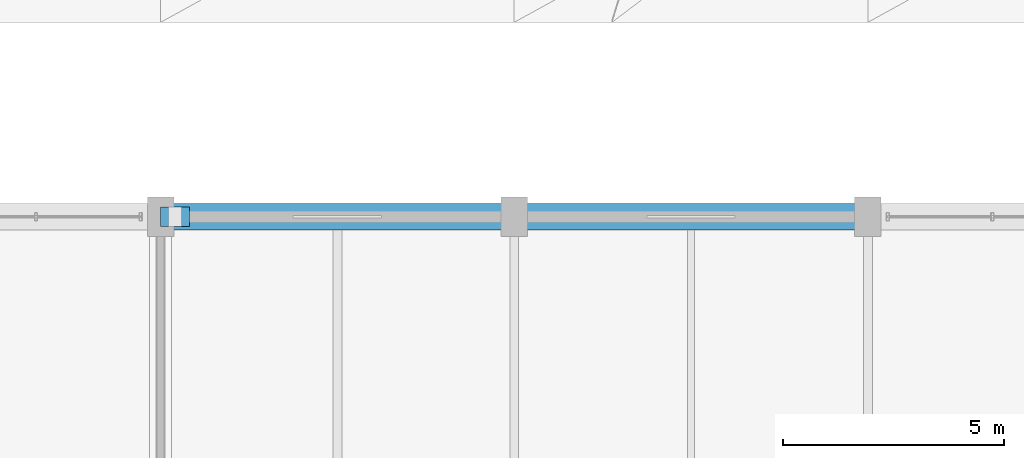
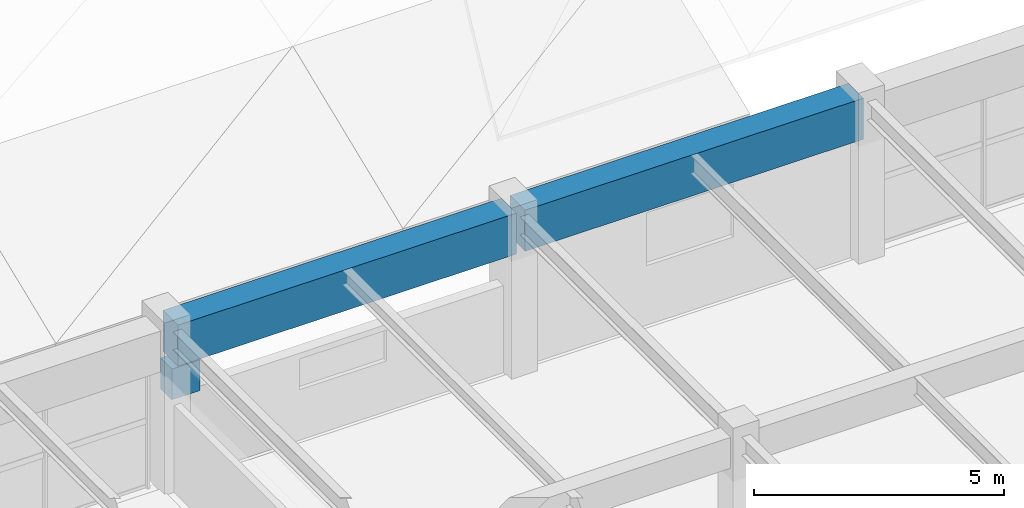
# One storey, part 11 of 126: 3 beams.
"""IFC4 building model written with IfcOpenShell, lengths in metres."""

from ifc_helpers import new_model, si_unit, direction, frame, origin, origin_2d, place, context, subcontext, project, spatial, rectangle, extrude, material, material_profile, profile_set, type_object, element, save


model = new_model("IFC4")

# Units and contexts
model_context = context("Model", 3, precision=1e-05, world=origin(), true_north=direction((0.0, 1.0)))
body_context = subcontext(model_context, "Body", "Model", "MODEL_VIEW")
ifc_project = project(units=[si_unit("LENGTHUNIT", "METRE"), si_unit("AREAUNIT", "SQUARE_METRE"), si_unit("VOLUMEUNIT", "CUBIC_METRE"), si_unit("PLANEANGLEUNIT", "RADIAN"), si_unit("MASSUNIT", "GRAM", prefix="KILO")], contexts=[model_context])

# Site, building, storey
site_placement = place(None, origin())
site = spatial("IfcSite", under=ifc_project, at=site_placement, CompositionType="ELEMENT")
building_placement = place(site_placement, origin())
building = spatial("IfcBuilding", under=site, at=building_placement, Name="Varnabhumi Central Station", CompositionType="ELEMENT")
storey_placement = place(building_placement, frame((0.0, 0.0, 16.199951171875)))
storey = spatial("IfcBuildingStorey", under=building, at=storey_placement, Name="L03", CompositionType="ELEMENT", Elevation=16.199951171875)

# Beams
ifc_material_1 = material(Name="Concrete M40", Category="concrete")
ifc_material_profile_1 = material_profile(ifc_material_1, rectangle(XDim=0.449951171875, YDim=0.75, at=origin_2d()), Name="Concrete M40", Category="concrete")
ifc_profile_set_1 = profile_set([ifc_material_profile_1], Name="Concrete M40")
beam_type_1 = type_object("IfcBeamType", Name="BM-RC-450x750", PredefinedType="BEAM", material=ifc_profile_set_1)
beam_placement = place(storey_placement, frame((64.0, 36.0, 2.465087890625), z_axis=(1.0, 0.0, 0.0), x_axis=(0.0, 1.0, 0.0)))
element("IfcBeam", 1, at=beam_placement, inside=storey, type_object=beam_type_1, Name="Movement Joint 650mm Corbel Seat L03-E-9", PredefinedType="BEAM", context=body_context, shape_type="SweptSolid", body=[
    extrude(rectangle(XDim=0.449951171875, YDim=0.75, at=origin_2d()), origin(), (0.0, 0.0, 1.0), 0.64990234375),
])
ifc_material_2 = material(Name="Concrete M50", Category="concrete")
ifc_material_profile_2 = material_profile(ifc_material_2, rectangle(XDim=0.60009765625, YDim=1.0, at=origin_2d()), Name="Concrete M50", Category="concrete")
ifc_profile_set_2 = profile_set([ifc_material_profile_2], Name="Concrete M50")
beam_type_2 = type_object("IfcBeamType", Name="BM-RC-600x1000", PredefinedType="BEAM", material=ifc_profile_set_2)
for number, where, z_axis, x_axis, name in (
    (2, (64.10009765625, 36.0, 3.420166015625), (1.0, 0.0, 0.0), (0.0, 1.0, 0.0), "Beam L03-E:9-10"),
    (3, (72.10009765625, 36.0, 3.420166015625), (1.0, 0.0, 0.0), (0.0, 1.0, 0.0), "Beam L03-E:10-11"),
):
    element("IfcBeam", number, at=place(storey_placement, frame(where, z_axis=z_axis, x_axis=x_axis)), inside=storey, type_object=beam_type_2, Name=name, PredefinedType="BEAM", context=body_context, shape_type="SweptSolid", body=[
        extrude(rectangle(XDim=0.60009765625, YDim=1.0, at=origin_2d()), origin(), (0.0, 0.0, 1.0), 7.7998046875),
    ])

save(model, "model.ifc")
